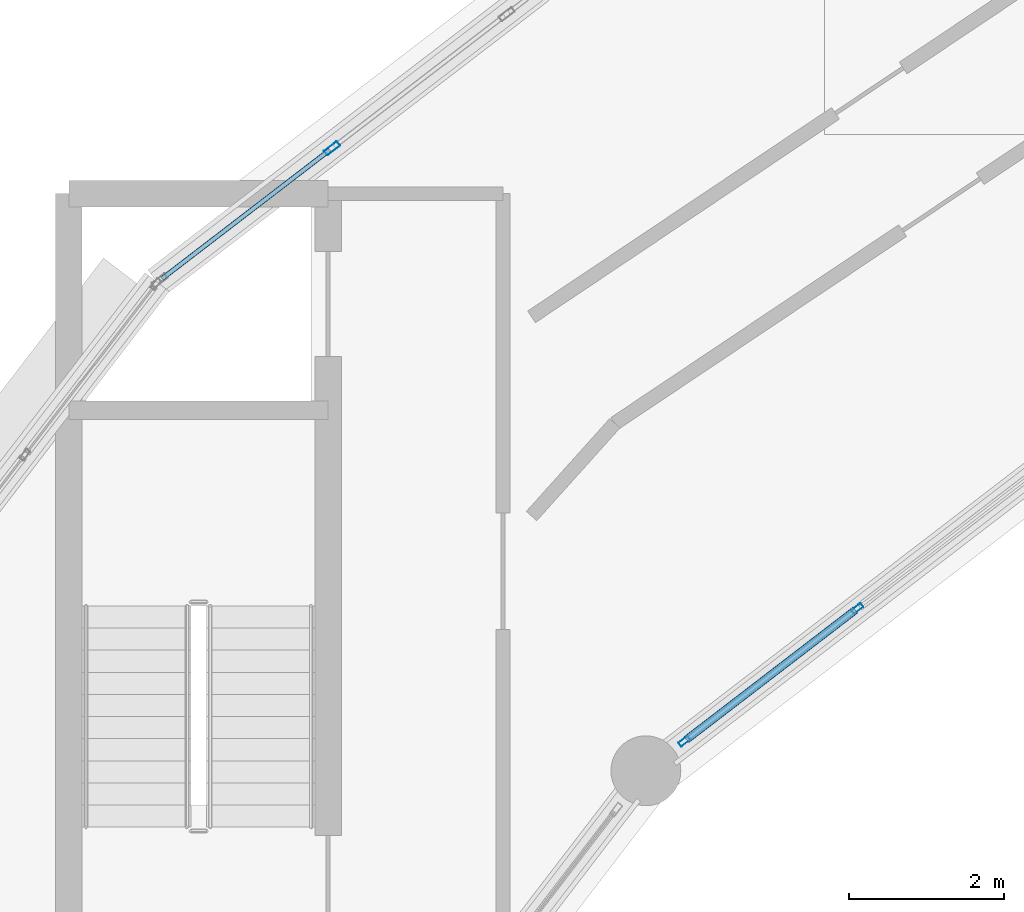
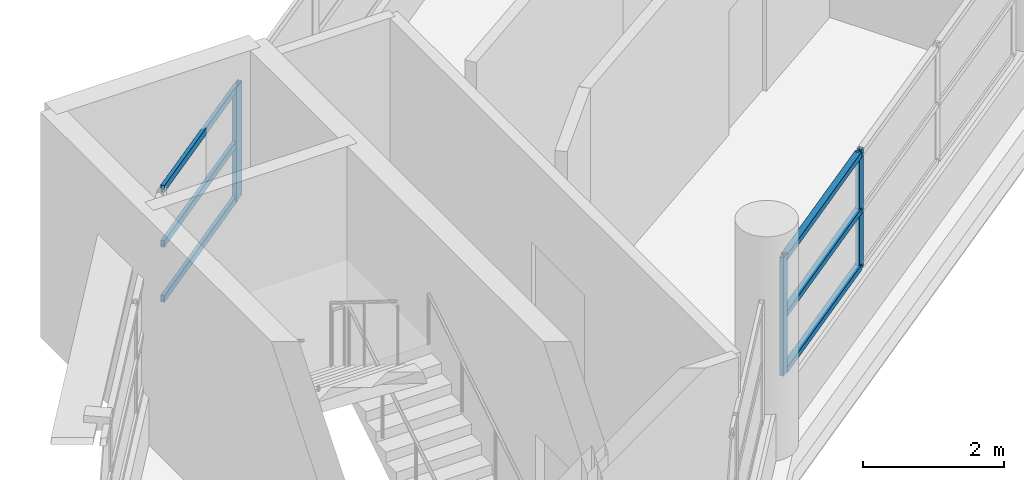
# One storey, part 61 of 108: 9 members, 2 elements without a shape of their own.
"""IFC4 building model written with IfcOpenShell, lengths in metres."""

import ifcopenshell
import ifcopenshell.guid

model = None  # the IFC model being written
_history = None  # IfcOwnerHistory: only IFC2X3 demands one
_inside = {}  # id of a spatial element -> (the spatial element, [elements in it])
_under = {}  # id of a project, library or spatial element -> (it, [spatial elements below it])
_declared = {}  # id of a project -> (the project, [libraries it declares])
_typed = {}  # id of a type object -> (the type object, [elements of that type])
_made_of = {}  # id of a material, layer set ... -> (it, [elements and type objects made of it])


def new_model(schema):
    """Start an empty IFC model of exactly this schema.

    Asked for "IFC4X3", IfcOpenShell would pick the latest addendum, in which some entities
    have other attributes; the version numbers below select the first issue.
    IFC2X3 requires an IfcOwnerHistory on every rooted entity: one is made here for all.
    """
    global model, _history
    if schema == "IFC4X3":
        model = ifcopenshell.file(schema_version=(4, 3, 0, 0))
    else:
        model = ifcopenshell.file(schema=schema)
    _inside.clear()
    _under.clear()
    _declared.clear()
    _typed.clear()
    _made_of.clear()
    _history = None
    if model.schema == "IFC2X3":
        org = make("IfcOrganization", Name="unknown")
        user = make(
            "IfcPersonAndOrganization",
            ThePerson=make("IfcPerson", FamilyName="unknown"),
            TheOrganization=org,
        )
        app = make(
            "IfcApplication",
            ApplicationDeveloper=org,
            Version="unknown",
            ApplicationFullName="unknown",
            ApplicationIdentifier="unknown",
        )
        _history = make(
            "IfcOwnerHistory",
            OwningUser=user,
            OwningApplication=app,
            ChangeAction="ADDED",
            CreationDate=0,
        )
    return model


def make(cls, **values):
    """One entity of the class cls with the attributes given. An attribute that is None is left unset."""
    return model.create_entity(
        cls, **{name: value for name, value in values.items() if value is not None}
    )


def rooted(cls, **values):
    """An entity with a GlobalId (a new one), such as an element, a storey or a relation."""
    return make(cls, GlobalId=ifcopenshell.guid.new(), OwnerHistory=_history, **values)


def si_unit(unit_type, name, prefix=None):
    """IfcSIUnit, for example si_unit("LENGTHUNIT", "METRE", prefix="MILLI")."""
    return make("IfcSIUnit", UnitType=unit_type, Prefix=prefix, Name=name)


def assignment(units):
    """IfcUnitAssignment: the units of a project."""
    return None if units is None else make("IfcUnitAssignment", Units=units)


def point(xyz):
    """IfcCartesianPoint."""
    return None if xyz is None else make("IfcCartesianPoint", Coordinates=xyz)


def direction(xyz):
    """IfcDirection."""
    return None if xyz is None else make("IfcDirection", DirectionRatios=xyz)


def frame(location, z_axis=None, x_axis=None):
    """IfcAxis2Placement3D, a coordinate frame: its origin and axes. An axis left out is left unset."""
    return make(
        "IfcAxis2Placement3D",
        Location=point(location),
        Axis=direction(z_axis),
        RefDirection=direction(x_axis),
    )


def frame_2d(location, x_axis=None):
    """IfcAxis2Placement2D, a coordinate frame in the plane: its origin and x axis."""
    return make(
        "IfcAxis2Placement2D", Location=point(location), RefDirection=direction(x_axis)
    )


def origin():
    """The frame at (0, 0, 0) with its axes left unset."""
    return frame((0.0, 0.0, 0.0))


def origin_2d():
    """The frame at (0, 0) in the plane with its x axis left unset."""
    return frame_2d((0.0, 0.0))


def place(relative_to, where):
    """IfcLocalPlacement: puts the frame where relative to a parent placement (None: the world)."""
    return make(
        "IfcLocalPlacement", PlacementRelTo=relative_to, RelativePlacement=where
    )


def context(
    kind, dimensions, precision=None, world=None, true_north=None, identifier=None
):
    """IfcGeometricRepresentationContext, for example the 3D "Model" context."""
    return make(
        "IfcGeometricRepresentationContext",
        ContextIdentifier=identifier,
        ContextType=kind,
        CoordinateSpaceDimension=dimensions,
        Precision=precision,
        WorldCoordinateSystem=world,
        TrueNorth=true_north,
    )


def subcontext(parent, identifier, kind, view, scale=None):
    """IfcGeometricRepresentationSubContext, for example "Body" below "Model"."""
    return make(
        "IfcGeometricRepresentationSubContext",
        ContextIdentifier=identifier,
        ContextType=kind,
        ParentContext=parent,
        TargetScale=scale,
        TargetView=view,
    )


def project(units=None, contexts=None):
    """IfcProject with its units and contexts."""
    return rooted(
        "IfcProject",
        Name="project",
        RepresentationContexts=contexts,
        UnitsInContext=assignment(units),
    )


def spatial(cls, under=None, at=None, **own):
    """A site, building, storey or space (cls), placed at a placement, below another one or the project."""
    s = rooted(cls, ObjectPlacement=at, **own)
    if under is not None:
        _under.setdefault(under.id(), (under, []))[1].append(s)
    return s


def profile(cls, at=None, kind="AREA", **sizes):
    """A parametric profile (cls). Its sizes go by their IFC names, for example OverallWidth=200.0."""
    return make(cls, ProfileType=kind, Position=at, **sizes)


def hollow_rectangle(**sizes):
    """IfcRectangleHollowProfileDef."""
    return profile("IfcRectangleHollowProfileDef", **sizes)


def extrude(swept, where, along, depth):
    """IfcExtrudedAreaSolid: the profile swept, set in the frame where, extruded along a direction by depth."""
    return make(
        "IfcExtrudedAreaSolid",
        SweptArea=swept,
        Position=where,
        ExtrudedDirection=direction(along),
        Depth=depth,
    )


def shape(context_of_items, identifier, shape_type, items):
    """IfcShapeRepresentation: the items that make up one representation, for example the "Body"."""
    return make(
        "IfcShapeRepresentation",
        ContextOfItems=context_of_items,
        RepresentationIdentifier=identifier,
        RepresentationType=shape_type,
        Items=items,
    )


def material(Name=None, Category=None):
    """IfcMaterial."""
    return make("IfcMaterial", Name=Name, Category=Category)


def layer(
    of_material, thickness, ventilated=None, Name=None, Category=None, Priority=None
):
    """IfcMaterialLayer: one layer of a wall or slab, of a material (None: an air gap)."""
    return make(
        "IfcMaterialLayer",
        Material=of_material,
        LayerThickness=thickness,
        IsVentilated=ventilated,
        Name=Name,
        Category=Category,
        Priority=Priority,
    )


def layer_set(layers, Name=None):
    """IfcMaterialLayerSet."""
    return make("IfcMaterialLayerSet", MaterialLayers=layers, LayerSetName=Name)


def material_profile(
    of_material, cross_section, Name=None, Category=None, Priority=None
):
    """IfcMaterialProfile: a cross section and its material."""
    return make(
        "IfcMaterialProfile",
        Name=Name,
        Material=of_material,
        Profile=cross_section,
        Priority=Priority,
        Category=Category,
    )


def profile_set(profiles, Name=None, composite=None):
    """IfcMaterialProfileSet."""
    return make(
        "IfcMaterialProfileSet",
        Name=Name,
        MaterialProfiles=profiles,
        CompositeProfile=composite,
    )


def made_of(thing, what):
    """Note that an element or type object is made of a material, layer set ...; save() writes the relation."""
    if what is not None:
        _made_of.setdefault(what.id(), (what, []))[1].append(thing)
    return thing


def type_object(cls, material=None, **own):
    """A type object (cls), such as IfcWallType, which elements share."""
    return made_of(rooted(cls, **own), material)


def element(
    cls,
    number,
    at=None,
    inside=None,
    cuts=None,
    type_object=None,
    material=None,
    context=None,
    identifier="Body",
    shape_type=None,
    held_by="IfcProductDefinitionShape",
    body=None,
    shapes=None,
    **own,
):
    """One element of the class cls, such as IfcWall. Its Tag is "e" and its number.

    at: its placement. inside: the storey or other place that contains it. cuts: it is an
    opening in that element (IfcRelVoidsElement). A single representation is given by context,
    identifier, shape_type and body (its items); several are given by shapes. held_by: the class
    of the entity that holds the representations. save() writes the other relations.
    """
    e = rooted(cls, Tag="e%d" % number, ObjectPlacement=at, **own)
    if body is not None:
        shapes = [shape(context, identifier, shape_type, body)]
    if shapes is not None:
        e.Representation = make(held_by, Representations=shapes)
    if inside is not None:
        _inside.setdefault(inside.id(), (inside, []))[1].append(e)
    if cuts is not None:
        rooted(
            "IfcRelVoidsElement", RelatingBuildingElement=cuts, RelatedOpeningElement=e
        )
    if type_object is not None:
        _typed.setdefault(type_object.id(), (type_object, []))[1].append(e)
    return made_of(e, material)


def aggregate(whole, parts):
    """IfcRelAggregates: a whole, such as a stair, and the parts it consists of."""
    return rooted("IfcRelAggregates", RelatingObject=whole, RelatedObjects=parts)


def save(model, path):
    """Write the relations noted so far, then the file.

    IfcRelAggregates (storeys below a building ...), IfcRelContainedInSpatialStructure (elements
    in a storey), IfcRelDefinesByType, IfcRelAssociatesMaterial and IfcRelDeclares: one each for
    every whole, place, type object, material and project.
    """
    for whole, parts in _under.values():
        aggregate(whole, parts)
    for where, things in _inside.values():
        rooted(
            "IfcRelContainedInSpatialStructure",
            RelatedElements=things,
            RelatingStructure=where,
        )
    for kind, things in _typed.values():
        rooted("IfcRelDefinesByType", RelatedObjects=things, RelatingType=kind)
    for what, things in _made_of.values():
        rooted("IfcRelAssociatesMaterial", RelatedObjects=things, RelatingMaterial=what)
    for by, libraries in _declared.values():
        rooted("IfcRelDeclares", RelatingContext=by, RelatedDefinitions=libraries)
    model.write(path)


model = new_model("IFC4")

# Units and contexts
model_context = context("Model", 3, precision=1e-05, world=origin(), true_north=direction((0.0, 1.0)))
body_context = subcontext(model_context, "Body", "Model", "MODEL_VIEW")
ifc_project = project(units=[si_unit("LENGTHUNIT", "METRE"), si_unit("AREAUNIT", "SQUARE_METRE"), si_unit("VOLUMEUNIT", "CUBIC_METRE"), si_unit("PLANEANGLEUNIT", "RADIAN"), si_unit("MASSUNIT", "GRAM", prefix="KILO")], contexts=[model_context])

# Site, building, storey
site_placement = place(None, origin())
site = spatial("IfcSite", under=ifc_project, at=site_placement, CompositionType="ELEMENT")
building_placement = place(site_placement, origin())
building = spatial("IfcBuilding", under=site, at=building_placement, Name="Vespera Passage Community Centre", CompositionType="ELEMENT")
storey_placement = place(building_placement, frame((0.0, 0.0, 12.60009765625)))
storey = spatial("IfcBuildingStorey", under=building, at=storey_placement, Name="L03", CompositionType="ELEMENT", Elevation=12.60009765625)

# Curtain wall, members
ifc_material_1 = material(Name="Anodized aluminium 6063-T6", Category="aluminium")
ifc_layer_1 = layer(ifc_material_1, 0.159912109375)
ifc_layer_set_1 = layer_set([ifc_layer_1], Name="Anodized aluminium 6063-T6")
curtain_wall_type_1 = type_object("IfcCurtainWallType", Name="CW-45E", PredefinedType="NOTDEFINED", material=ifc_layer_set_1)
curtain_wall_1_placement = place(storey_placement, origin())
curtain_wall_1 = element("IfcCurtainWall", 1, at=curtain_wall_1_placement, inside=storey, type_object=curtain_wall_type_1, Name="V4 L03 Inner Court Curtain Wall 8", PredefinedType="NOTDEFINED")
ifc_material_2 = material(Name="Anodized aluminium 6063-T6", Category="aluminium")
ifc_material_profile_1 = material_profile(ifc_material_2, hollow_rectangle(XDim=0.06494140625, YDim=0.14990234375, WallThickness=0.00390625, InnerFilletRadius=0.001953125, OuterFilletRadius=0.00390625, at=origin_2d()), Name="ALU150X65X4")
ifc_profile_set_1 = profile_set([ifc_material_profile_1], Name="Anodized aluminium 6063-T6")
member_type_1 = type_object("IfcMemberType", Name="MB-CWM-150E", PredefinedType="MULLION", material=ifc_profile_set_1)
member_1_placement = place(storey_placement, frame((54.420654296875, 93.895263671875, 0.81982421875), z_axis=(0.0, 0.0, 1.0), x_axis=(0.608755087843, -0.793358205999, 0.0)))
member_1 = element("IfcMember", 2, at=member_1_placement, type_object=member_type_1, Name="CW-45E mullion 3", PredefinedType="MULLION", context=body_context, shape_type="SweptSolid", body=[
    extrude(hollow_rectangle(XDim=0.06494140625, YDim=0.14990234375, WallThickness=0.00390625, InnerFilletRadius=0.001953125, OuterFilletRadius=0.00390625, at=origin_2d()), origin(), (0.0, 0.0, 1.0), 2.049560546875),
])
member_2_placement = place(storey_placement, frame((52.19189453125, 92.185302734375, 0.81982421875), z_axis=(0.0, 0.0, 1.0), x_axis=(0.608755087843, -0.793358205999, 0.0)))
member_2 = element("IfcMember", 3, at=member_2_placement, type_object=member_type_1, Name="CW-45E mullion 4", PredefinedType="MULLION", context=body_context, shape_type="SweptSolid", body=[
    extrude(hollow_rectangle(XDim=0.06494140625, YDim=0.14990234375, WallThickness=0.00390625, InnerFilletRadius=0.001953125, OuterFilletRadius=0.00390625, at=origin_2d()), origin(), (0.0, 0.0, 1.0), 2.049560546875),
])

# Curtain wall, member
ifc_material_3 = material(Name="Anodized aluminium 6063-T6", Category="aluminium")
ifc_layer_2 = layer(ifc_material_3, 0.159912109375)
ifc_layer_set_2 = layer_set([ifc_layer_2], Name="Anodized aluminium 6063-T6")
curtain_wall_type_2 = type_object("IfcCurtainWallType", Name="CW-44E", PredefinedType="NOTDEFINED", material=ifc_layer_set_2)
curtain_wall_2_placement = place(storey_placement, origin())
curtain_wall_2 = element("IfcCurtainWall", 4, at=curtain_wall_2_placement, inside=storey, type_object=curtain_wall_type_2, Name="V4 L03 Outer Ribbon Curtain Wall 8", PredefinedType="NOTDEFINED")
ifc_material_4 = material(Name="Anodized aluminium 6063-T6", Category="aluminium")
ifc_material_profile_2 = material_profile(ifc_material_4, hollow_rectangle(XDim=0.074951171875, YDim=0.2099609375, WallThickness=0.0048828125, InnerFilletRadius=0.00244140625, OuterFilletRadius=0.0048828125, at=origin_2d()), Name="ALU210X75X5")
ifc_profile_set_2 = profile_set([ifc_material_profile_2], Name="Anodized aluminium 6063-T6")
member_type_2 = type_object("IfcMemberType", Name="MB-CWM-210E", PredefinedType="MULLION", material=ifc_profile_set_2)
member_3_placement = place(storey_placement, frame((47.65283203125, 99.824462890625, 0.81982421875), z_axis=(0.0, 0.0, 1.0), x_axis=(-0.608768221519, 0.793348128169, 0.0)))
member_3 = element("IfcMember", 5, at=member_3_placement, type_object=member_type_2, Name="CW-44E mullion 2", PredefinedType="MULLION", context=body_context, shape_type="SweptSolid", body=[
    extrude(hollow_rectangle(XDim=0.074951171875, YDim=0.2099609375, WallThickness=0.0048828125, InnerFilletRadius=0.00244140625, OuterFilletRadius=0.0048828125, at=origin_2d()), origin(), (0.0, 0.0, 1.0), 1.965576171875),
])

# Member
ifc_material_5 = material(Name="Anodized aluminium 6063-T6", Category="aluminium")
ifc_material_profile_3 = material_profile(ifc_material_5, hollow_rectangle(XDim=0.10009765625, YDim=0.10009765625, WallThickness=0.00390625, InnerFilletRadius=0.001953125, OuterFilletRadius=0.00390625, at=origin_2d()), Name="ALU100X100X4")
ifc_profile_set_3 = profile_set([ifc_material_profile_3], Name="Anodized aluminium 6063-T6")
member_type_3 = type_object("IfcMemberType", Name="MB-CWT-100E", PredefinedType="USERDEFINED", material=ifc_profile_set_3)
member_4_placement = place(storey_placement, frame((54.394775390625, 93.87548828125, 0.869873046875), z_axis=(-0.793364286906, -0.608747162837, 0.0), x_axis=(0.608747162837, -0.793364286906, 0.0)))
member_4 = element("IfcMember", 6, at=member_4_placement, type_object=member_type_3, Name="CW-45E transom 3.1", ObjectType="TRANSOM", PredefinedType="USERDEFINED", context=body_context, shape_type="SweptSolid", body=[
    extrude(hollow_rectangle(XDim=0.10009765625, YDim=0.10009765625, WallThickness=0.00390625, InnerFilletRadius=0.001953125, OuterFilletRadius=0.00390625, at=origin_2d()), origin(), (0.0, 0.0, 1.0), 2.743896484375),
])

member_5_placement = place(storey_placement, frame((54.394775390625, 93.87548828125, 1.844482421875), z_axis=(-0.793364286906, -0.608747162837, 0.0), x_axis=(0.608747162837, -0.793364286906, 0.0)))
member_5 = element("IfcMember", 7, at=member_5_placement, type_object=member_type_3, Name="CW-45E transom 3.2", ObjectType="TRANSOM", PredefinedType="USERDEFINED", context=body_context, shape_type="SweptSolid", body=[
    extrude(hollow_rectangle(XDim=0.10009765625, YDim=0.10009765625, WallThickness=0.00390625, InnerFilletRadius=0.001953125, OuterFilletRadius=0.00390625, at=origin_2d()), origin(), (0.0, 0.0, 1.0), 2.743896484375),
])

member_6_placement = place(storey_placement, frame((54.394775390625, 93.87548828125, 2.8193359375), z_axis=(-0.793364286906, -0.608747162837, 0.0), x_axis=(0.608747162837, -0.793364286906, 0.0)))
member_6 = element("IfcMember", 8, at=member_6_placement, type_object=member_type_3, Name="CW-45E transom 3.3", ObjectType="TRANSOM", PredefinedType="USERDEFINED", context=body_context, shape_type="SweptSolid", body=[
    extrude(hollow_rectangle(XDim=0.10009765625, YDim=0.10009765625, WallThickness=0.00390625, InnerFilletRadius=0.001953125, OuterFilletRadius=0.00390625, at=origin_2d()), origin(), (0.0, 0.0, 1.0), 2.743896484375),
])

aggregate(curtain_wall_1, [member_1, member_2, member_4, member_5, member_6])

ifc_material_6 = material(Name="Anodized aluminium 6063-T6", Category="aluminium")
ifc_material_profile_4 = material_profile(ifc_material_6, hollow_rectangle(XDim=0.06005859375, YDim=0.1201171875, WallThickness=0.00390625, InnerFilletRadius=0.001953125, OuterFilletRadius=0.00390625, at=origin_2d()), Name="ALU120X60X4")
ifc_profile_set_4 = profile_set([ifc_material_profile_4], Name="Anodized aluminium 6063-T6")
member_type_4 = type_object("IfcMemberType", Name="MB-CWT-120E", PredefinedType="USERDEFINED", material=ifc_profile_set_4)
member_7_placement = place(storey_placement, frame((45.4619140625, 98.143310546875, 0.849853515625), z_axis=(0.793326438597, 0.608796486375, 0.0), x_axis=(-0.608796486375, 0.793326438597, 0.0)))
member_7 = element("IfcMember", 9, at=member_7_placement, type_object=member_type_4, Name="CW-44E transom 1.1", ObjectType="TRANSOM", PredefinedType="USERDEFINED", context=body_context, shape_type="SweptSolid", body=[
    extrude(hollow_rectangle(XDim=0.06005859375, YDim=0.1201171875, WallThickness=0.00390625, InnerFilletRadius=0.001953125, OuterFilletRadius=0.00390625, at=origin_2d()), origin(), (0.0, 0.0, 1.0), 2.72412109375),
])

member_8_placement = place(storey_placement, frame((45.4619140625, 98.143310546875, 1.802734375), z_axis=(0.793326438597, 0.608796486375, 0.0), x_axis=(-0.608796486375, 0.793326438597, 0.0)))
member_8 = element("IfcMember", 10, at=member_8_placement, type_object=member_type_4, Name="CW-44E transom 1.2", ObjectType="TRANSOM", PredefinedType="USERDEFINED", context=body_context, shape_type="SweptSolid", body=[
    extrude(hollow_rectangle(XDim=0.06005859375, YDim=0.1201171875, WallThickness=0.00390625, InnerFilletRadius=0.001953125, OuterFilletRadius=0.00390625, at=origin_2d()), origin(), (0.0, 0.0, 1.0), 2.72412109375),
])

member_9_placement = place(storey_placement, frame((45.4619140625, 98.143310546875, 2.755615234375), z_axis=(0.793326438597, 0.608796486375, 0.0), x_axis=(-0.608796486375, 0.793326438597, 0.0)))
member_9 = element("IfcMember", 11, at=member_9_placement, type_object=member_type_4, Name="CW-44E transom 1.3", ObjectType="TRANSOM", PredefinedType="USERDEFINED", context=body_context, shape_type="SweptSolid", body=[
    extrude(hollow_rectangle(XDim=0.06005859375, YDim=0.1201171875, WallThickness=0.00390625, InnerFilletRadius=0.001953125, OuterFilletRadius=0.00390625, at=origin_2d()), origin(), (0.0, 0.0, 1.0), 2.72412109375),
])

aggregate(curtain_wall_2, [member_3, member_7, member_8, member_9])

save(model, "model.ifc")
